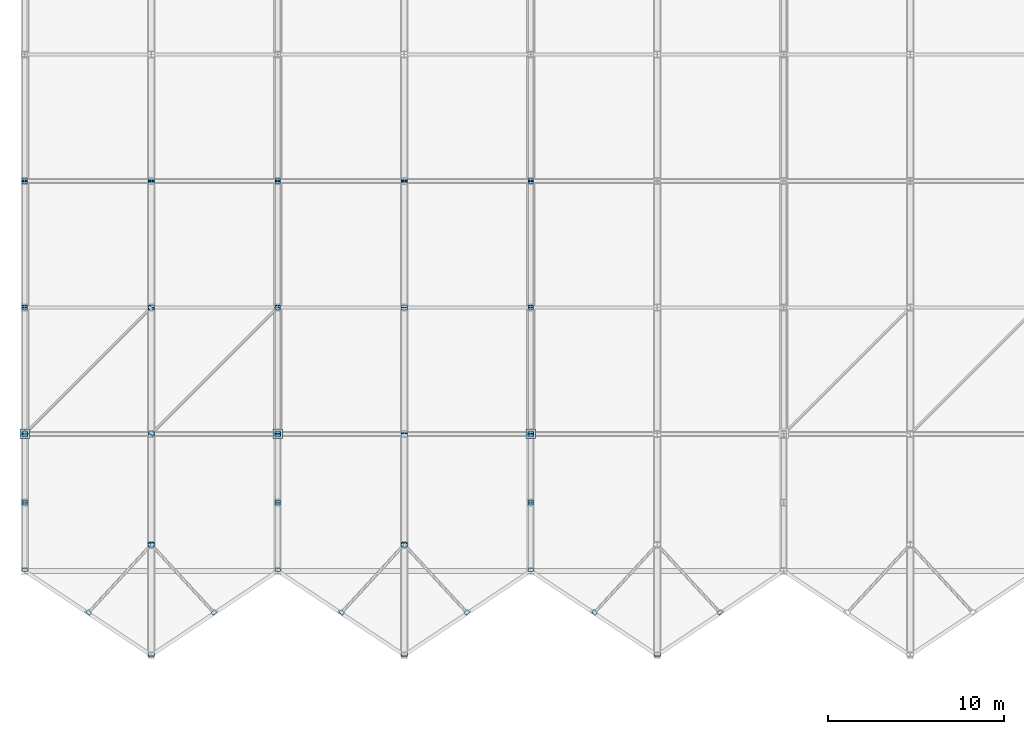
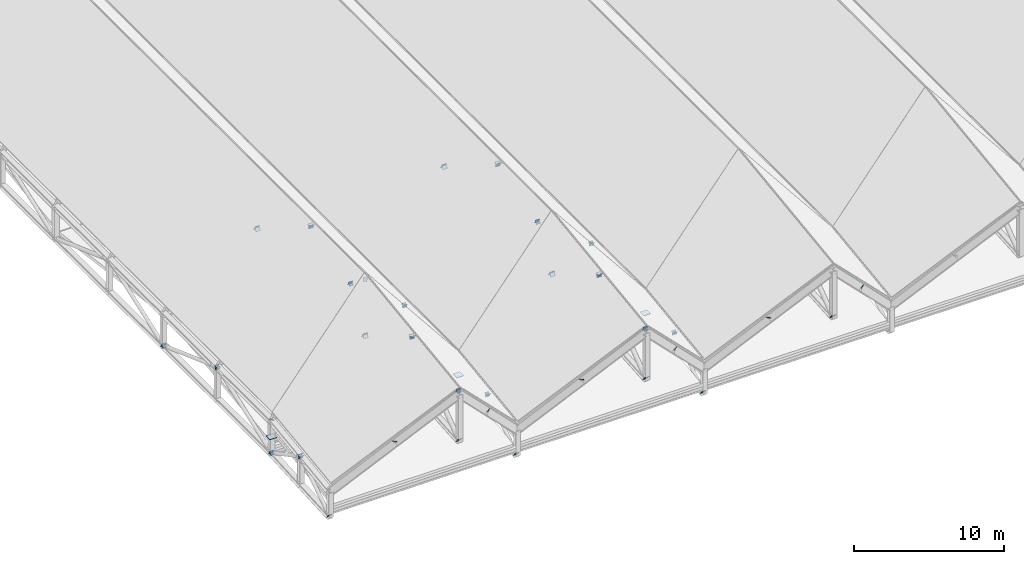
# One storey, part 44 of 60: 63 plates.
"""IFC4 building model written with IfcOpenShell, lengths in metres."""

from ifc_helpers import new_model, si_unit, direction, frame, origin, origin_2d, place, context, subcontext, project, spatial, rectangle, extrude, material, layer, layer_set, type_object, element, save


model = new_model("IFC4")

# Units and contexts
model_context = context("Model", 3, precision=1e-05, world=origin(), true_north=direction((0.0, 1.0)))
body_context = subcontext(model_context, "Body", "Model", "MODEL_VIEW")
ifc_project = project(units=[si_unit("LENGTHUNIT", "METRE"), si_unit("AREAUNIT", "SQUARE_METRE"), si_unit("VOLUMEUNIT", "CUBIC_METRE"), si_unit("PLANEANGLEUNIT", "RADIAN"), si_unit("MASSUNIT", "GRAM", prefix="KILO")], contexts=[model_context])

# Site, building, storey
site_placement = place(None, origin())
site = spatial("IfcSite", under=ifc_project, at=site_placement, CompositionType="ELEMENT")
building_placement = place(site_placement, origin())
building = spatial("IfcBuilding", under=site, at=building_placement, Name="Vesperath Aquatics Centre", CompositionType="ELEMENT")
storey_placement = place(building_placement, frame((0.0, 0.0, 27.60009765625)))
storey = spatial("IfcBuildingStorey", under=building, at=storey_placement, Name="RF", CompositionType="ELEMENT", Elevation=27.60009765625)

# Plates
ifc_material = material(Name="Steel Q355D", Category="steel")
ifc_layer_1 = layer(ifc_material, 0.02001953125)
ifc_layer_set_1 = layer_set([ifc_layer_1], Name="Steel Q355D")
plate_type_1 = type_object("IfcPlateType", Name="PT-TN01", PredefinedType="SHEET", material=ifc_layer_set_1)
for number, where, z_axis, x_axis, name in (
    (1, (7.199951171875, 1.84814453125, -6.288818359375), (0.0, 0.802493774826, 0.59666049087), (-1.0, 0.0, 0.0), "Truss Node Cap Plate TN01"),
    (2, (7.199951171875, 8.035888671875, -1.688232421875), (0.0, 0.802493774826, 0.59666049087), (-1.0, 0.0, 0.0), "Truss Node Cap Plate TN01"),
    (3, (7.199951171875, 8.151611328125, -1.67138671875), (0.0, 0.858729222984, -0.512429625991), (-1.0, 0.0, 0.0), "Truss Node Cap Plate TN01"),
    (4, (7.199951171875, 14.331298828125, -5.359130859375), (0.0, 0.858729222984, -0.512429625991), (-1.0, 0.0, 0.0), "Truss Node Cap Plate TN01"),
    (5, (7.199951171875, 14.450439453125, -5.36767578125), (0.0, 0.842696259913, 0.538389276944), (-1.0, 0.0, 0.0), "Truss Node Cap Plate TN01"),
    (6, (7.199951171875, 21.532470703125, -0.84326171875), (0.0, 0.842696259913, 0.538389276944), (-1.0, 0.0, 0.0), "Truss Node Cap Plate TN01"),
    (7, (7.199951171875, 21.650390625, -0.83251953125), (0.0, 0.842696259913, -0.538389276944), (-1.0, 0.0, 0.0), "Truss Node Cap Plate TN01"),
    (8, (7.199951171875, 28.732421875, -5.35693359375), (0.0, 0.842696259913, -0.538389276944), (-1.0, 0.0, 0.0), "Truss Node Cap Plate TN01"),
    (9, (7.199951171875, 28.850341796875, -5.36767578125), (0.0, 0.842696259913, 0.538389276944), (-1.0, 0.0, 0.0), "Truss Node Cap Plate TN01"),
    (10, (21.60009765625, 1.84814453125, -6.288818359375), (0.0, 0.802493774826, 0.59666049087), (-1.0, 0.0, 0.0), "Truss Node Cap Plate TN01"),
    (11, (21.60009765625, 8.035888671875, -1.688232421875), (0.0, 0.802493774826, 0.59666049087), (-1.0, 0.0, 0.0), "Truss Node Cap Plate TN01"),
    (12, (21.60009765625, 8.151611328125, -1.67138671875), (0.0, 0.858729222984, -0.512429625991), (-1.0, 0.0, 0.0), "Truss Node Cap Plate TN01"),
    (13, (21.60009765625, 14.331298828125, -5.359130859375), (0.0, 0.858729222984, -0.512429625991), (-1.0, 0.0, 0.0), "Truss Node Cap Plate TN01"),
    (14, (21.60009765625, 14.450439453125, -5.36767578125), (0.0, 0.842696259913, 0.538389276944), (-1.0, 0.0, 0.0), "Truss Node Cap Plate TN01"),
    (15, (21.60009765625, 21.532470703125, -0.84326171875), (0.0, 0.842696259913, 0.538389276944), (-1.0, 0.0, 0.0), "Truss Node Cap Plate TN01"),
    (16, (21.60009765625, 21.650390625, -0.83251953125), (0.0, 0.842696259913, -0.538389276944), (-1.0, 0.0, 0.0), "Truss Node Cap Plate TN01"),
    (17, (21.60009765625, 28.732421875, -5.35693359375), (0.0, 0.842696259913, -0.538389276944), (-1.0, 0.0, 0.0), "Truss Node Cap Plate TN01"),
    (18, (21.60009765625, 28.850341796875, -5.36767578125), (0.0, 0.842696259913, 0.538389276944), (-1.0, 0.0, 0.0), "Truss Node Cap Plate TN01"),
    (19, (36.0, 1.84814453125, -6.288818359375), (0.0, 0.802493774826, 0.59666049087), (-1.0, 0.0, 0.0), "Truss Node Cap Plate TN01"),
):
    element("IfcPlate", number, at=place(storey_placement, frame(where, z_axis=z_axis, x_axis=x_axis)), inside=storey, type_object=plate_type_1, Name=name, PredefinedType="SHEET", context=body_context, shape_type="SweptSolid", body=[
        extrude(rectangle(XDim=0.360107421875, YDim=0.360107421875, at=origin_2d()), origin(), (0.0, 0.0, 1.0), 0.02001953125),
    ])
ifc_layer_2 = layer(ifc_material, 0.02001953125)
ifc_layer_set_2 = layer_set([ifc_layer_2], Name="Steel Q355D")
plate_type_2 = type_object("IfcPlateType", Name="PT-TN02", PredefinedType="SHEET", material=ifc_layer_set_2)
for number, where, z_axis, x_axis, name in (
    (20, (0.0, 6.650390625, -12.83544921875), (0.0, 0.837176029161, 0.546933539105), (-1.0, 0.0, 0.0), "Truss Node Cap Plate TN02"),
    (21, (0.0, 10.43310546875, -10.3642578125), (0.0, 0.837176029161, 0.546933539105), (-1.0, 0.0, 0.0), "Truss Node Cap Plate TN02"),
    (22, (0.0, 10.552978515625, -10.348876953125), (0.0, 0.882390516938, -0.470517773967), (-1.0, 0.0, 0.0), "Truss Node Cap Plate TN02"),
    (23, (0.0, 14.329345703125, -12.362548828125), (0.0, 0.882390516938, -0.470517773967), (-1.0, 0.0, 0.0), "Truss Node Cap Plate TN02"),
    (24, (0.0, 14.456298828125, -12.379638671875), (0.0, 0.940553899656, 0.339644463876), (-1.0, 0.0, 0.0), "Truss Node Cap Plate TN02"),
    (25, (0.0, 21.524658203125, -9.827392578125), (0.0, 0.940553899656, 0.339644463876), (-1.0, 0.0, 0.0), "Truss Node Cap Plate TN02"),
    (26, (0.0, 21.65625, -9.820556640625), (0.0, 0.940553899656, -0.339644463876), (-1.0, 0.0, 0.0), "Truss Node Cap Plate TN02"),
    (27, (0.0, 28.724609375, -12.372802734375), (0.0, 0.940553899656, -0.339644463876), (-1.0, 0.0, 0.0), "Truss Node Cap Plate TN02"),
    (28, (0.0, 28.856201171875, -12.379638671875), (0.0, 0.940553899656, 0.339644463876), (-1.0, 0.0, 0.0), "Truss Node Cap Plate TN02"),
    (29, (14.39990234375, 6.650390625, -12.83544921875), (0.0, 0.837176029161, 0.546933539105), (-1.0, 0.0, 0.0), "Truss Node Cap Plate TN02"),
    (30, (14.39990234375, 10.43310546875, -10.3642578125), (0.0, 0.837176029161, 0.546933539105), (-1.0, 0.0, 0.0), "Truss Node Cap Plate TN02"),
    (31, (14.39990234375, 10.552978515625, -10.348876953125), (0.0, 0.882390516938, -0.470517773967), (-1.0, 0.0, 0.0), "Truss Node Cap Plate TN02"),
    (32, (14.39990234375, 14.329345703125, -12.362548828125), (0.0, 0.882390516938, -0.470517773967), (-1.0, 0.0, 0.0), "Truss Node Cap Plate TN02"),
    (33, (14.39990234375, 14.456298828125, -12.379638671875), (0.0, 0.940553899656, 0.339644463876), (-1.0, 0.0, 0.0), "Truss Node Cap Plate TN02"),
    (34, (14.39990234375, 21.524658203125, -9.827392578125), (0.0, 0.940553899656, 0.339644463876), (-1.0, 0.0, 0.0), "Truss Node Cap Plate TN02"),
    (35, (14.39990234375, 21.65625, -9.820556640625), (0.0, 0.940553899656, -0.339644463876), (-1.0, 0.0, 0.0), "Truss Node Cap Plate TN02"),
    (36, (14.39990234375, 28.724609375, -12.372802734375), (0.0, 0.940553899656, -0.339644463876), (-1.0, 0.0, 0.0), "Truss Node Cap Plate TN02"),
    (37, (14.39990234375, 28.856201171875, -12.379638671875), (0.0, 0.940553899656, 0.339644463876), (-1.0, 0.0, 0.0), "Truss Node Cap Plate TN02"),
    (38, (28.800048828125, 6.650390625, -12.83544921875), (0.0, 0.837176029161, 0.546933539105), (-1.0, 0.0, 0.0), "Truss Node Cap Plate TN02"),
    (39, (28.800048828125, 10.43310546875, -10.3642578125), (0.0, 0.837176029161, 0.546933539105), (-1.0, 0.0, 0.0), "Truss Node Cap Plate TN02"),
    (40, (28.800048828125, 10.552978515625, -10.348876953125), (0.0, 0.882390516938, -0.470517773967), (-1.0, 0.0, 0.0), "Truss Node Cap Plate TN02"),
    (41, (28.800048828125, 14.329345703125, -12.362548828125), (0.0, 0.882390516938, -0.470517773967), (-1.0, 0.0, 0.0), "Truss Node Cap Plate TN02"),
    (42, (28.800048828125, 14.456298828125, -12.379638671875), (0.0, 0.940553899656, 0.339644463876), (-1.0, 0.0, 0.0), "Truss Node Cap Plate TN02"),
    (43, (28.800048828125, 21.524658203125, -9.827392578125), (0.0, 0.940553899656, 0.339644463876), (-1.0, 0.0, 0.0), "Truss Node Cap Plate TN02"),
    (44, (28.800048828125, 21.65625, -9.820556640625), (0.0, 0.940553899656, -0.339644463876), (-1.0, 0.0, 0.0), "Truss Node Cap Plate TN02"),
    (45, (28.800048828125, 28.724609375, -12.372802734375), (0.0, 0.940553899656, -0.339644463876), (-1.0, 0.0, 0.0), "Truss Node Cap Plate TN02"),
    (46, (28.800048828125, 28.856201171875, -12.379638671875), (0.0, 0.940553899656, 0.339644463876), (-1.0, 0.0, 0.0), "Truss Node Cap Plate TN02"),
):
    element("IfcPlate", number, at=place(storey_placement, frame(where, z_axis=z_axis, x_axis=x_axis)), inside=storey, type_object=plate_type_2, Name=name, PredefinedType="SHEET", context=body_context, shape_type="SweptSolid", body=[
        extrude(rectangle(XDim=0.320068359375, YDim=0.320068359375, at=origin_2d()), origin(), (0.0, 0.0, 1.0), 0.02001953125),
    ])
ifc_layer_3 = layer(ifc_material, 0.01806640625)
ifc_layer_set_3 = layer_set([ifc_layer_3], Name="Steel Q355D")
plate_type_3 = type_object("IfcPlateType", Name="PT-TN03", PredefinedType="SHEET", material=ifc_layer_set_3)
for number, where, z_axis, x_axis, name in (
    (47, (3.630615234375, 4.23291015625, -6.618408203125), (0.492765186153, 0.533828951166, 0.687174739213), (-0.734803444478, 0.678280102894, 2.61e-10), "Truss Node Cap Plate TN03"),
    (48, (7.16064453125, 8.05712890625, -1.695556640625), (0.492765186153, 0.533828951166, 0.687174739213), (-0.734803444478, 0.678280102894, 2.61e-10), "Truss Node Cap Plate TN03"),
    (49, (0.03271484375, 14.4326171875, -9.75927734375), (0.529812942738, 0.529812942738, 0.662266178673), (-0.707106781187, 0.707106781187, 0.0), "Truss Node Cap Plate TN03"),
    (50, (7.157470703125, 21.5576171875, -0.853271484375), (0.529812942738, 0.529812942738, 0.662266178673), (-0.707106781187, 0.707106781187, 0.0), "Truss Node Cap Plate TN03"),
    (51, (10.769287109375, 4.23291015625, -6.618408203125), (-0.492765186153, 0.533828951166, 0.687174739213), (-0.734803444478, -0.678280102894, -2.61e-10), "Truss Node Cap Plate TN03"),
    (52, (7.239501953125, 8.05712890625, -1.695556640625), (-0.492765186153, 0.533828951166, 0.687174739213), (-0.734803444478, -0.678280102894, -2.61e-10), "Truss Node Cap Plate TN03"),
    (53, (7.232666015625, 14.4326171875, -0.841064453125), (0.529812942738, 0.529812942738, -0.662266178673), (-0.707106781187, 0.707106781187, 0.0), "Truss Node Cap Plate TN03"),
    (54, (14.357421875, 21.5576171875, -9.7470703125), (0.529812942738, 0.529812942738, -0.662266178673), (-0.707106781187, 0.707106781187, 0.0), "Truss Node Cap Plate TN03"),
    (55, (18.030517578125, 4.23291015625, -6.618408203125), (0.492765186153, 0.533828951166, 0.687174739213), (-0.734803444478, 0.678280102894, 2.61e-10), "Truss Node Cap Plate TN03"),
    (56, (21.560546875, 8.05712890625, -1.695556640625), (0.492765186153, 0.533828951166, 0.687174739213), (-0.734803444478, 0.678280102894, 2.61e-10), "Truss Node Cap Plate TN03"),
    (57, (25.16943359375, 4.23291015625, -6.618408203125), (-0.492765186153, 0.533828951166, 0.687174739213), (-0.734803444478, -0.678280102894, -2.61e-10), "Truss Node Cap Plate TN03"),
    (58, (21.639404296875, 8.05712890625, -1.695556640625), (-0.492765186153, 0.533828951166, 0.687174739213), (-0.734803444478, -0.678280102894, -2.61e-10), "Truss Node Cap Plate TN03"),
    (59, (32.4306640625, 4.23291015625, -6.618408203125), (0.492765186153, 0.533828951166, 0.687174739213), (-0.734803444478, 0.678280102894, 2.61e-10), "Truss Node Cap Plate TN03"),
    (60, (39.5693359375, 4.23291015625, -6.618408203125), (-0.492765186153, 0.533828951166, 0.687174739213), (-0.734803444478, -0.678280102894, -2.61e-10), "Truss Node Cap Plate TN03"),
):
    element("IfcPlate", number, at=place(storey_placement, frame(where, z_axis=z_axis, x_axis=x_axis)), inside=storey, type_object=plate_type_3, Name=name, PredefinedType="SHEET", context=body_context, shape_type="SweptSolid", body=[
        extrude(rectangle(XDim=0.280029296875, YDim=0.280029296875, at=origin_2d()), origin(), (0.0, 0.0, 1.0), 0.01806640625),
    ])
ifc_layer_4 = layer(ifc_material, 0.028076171875)
ifc_layer_set_4 = layer_set([ifc_layer_4], Name="Steel Q355D")
plate_type_4 = type_object("IfcPlateType", Name="PT-TN05", PredefinedType="SHEET", material=ifc_layer_set_4)
for number, where, z_axis, x_axis, name in (
    (61, (0.0, 14.39990234375, -11.1142578125), (0.0, 0.0, 1.0), (0.0, 1.0, 0.0), "Truss Support Gusset Plate TN05 G1/C"),
    (62, (14.39990234375, 14.39990234375, -11.1142578125), (0.0, 0.0, 1.0), (0.0, 1.0, 0.0), "Truss Support Gusset Plate TN05 G3/C"),
    (63, (28.800048828125, 14.39990234375, -11.1142578125), (0.0, 0.0, 1.0), (0.0, 1.0, 0.0), "Truss Support Gusset Plate TN05 G5/C"),
):
    element("IfcPlate", number, at=place(storey_placement, frame(where, z_axis=z_axis, x_axis=x_axis)), inside=storey, type_object=plate_type_4, Name=name, PredefinedType="SHEET", context=body_context, shape_type="SweptSolid", body=[
        extrude(rectangle(XDim=0.5400390625, YDim=0.5400390625, at=origin_2d()), origin(), (0.0, 0.0, 1.0), 0.028076171875),
    ])

save(model, "model.ifc")
